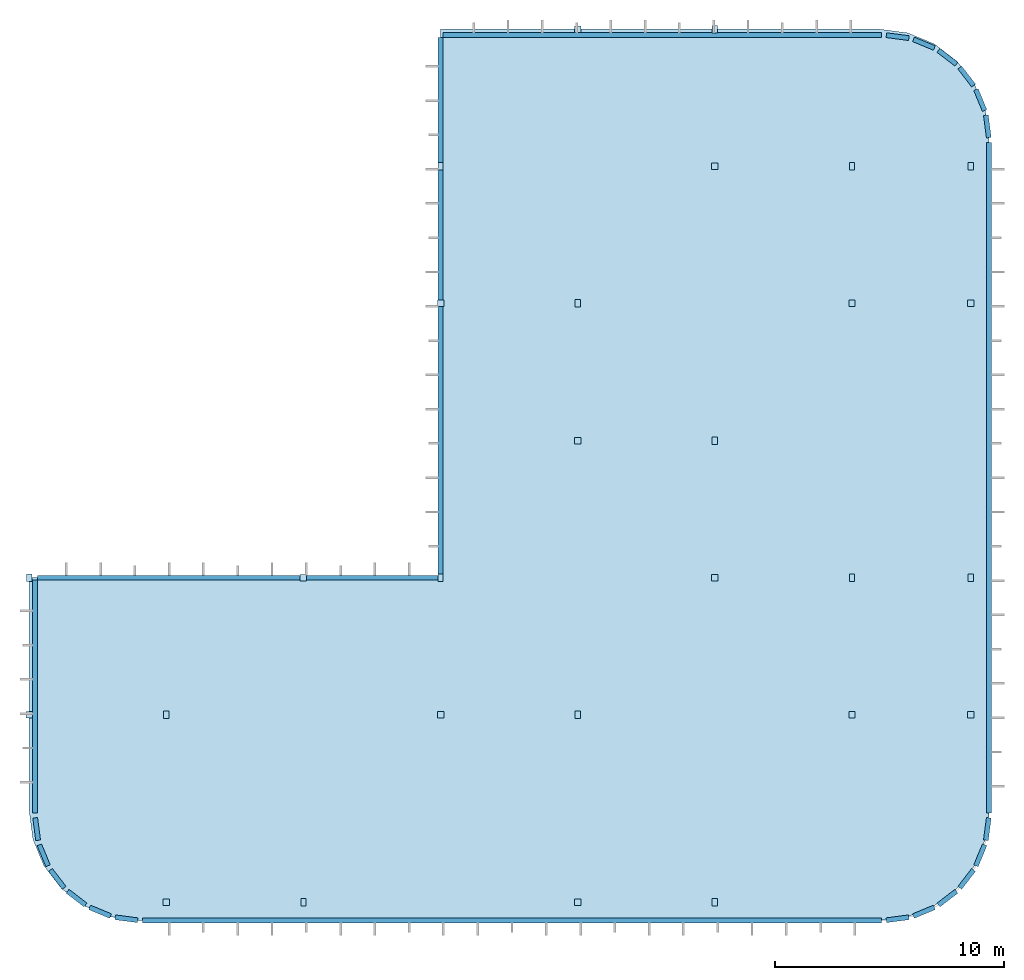
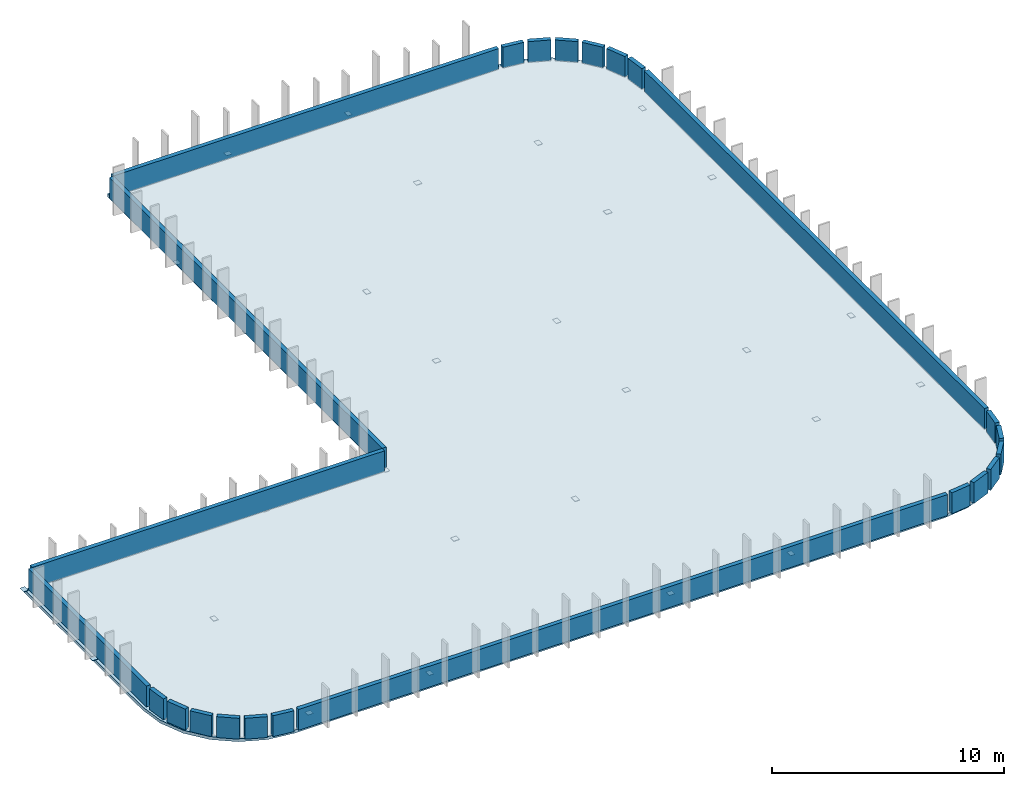
# One storey, part 1 of 3: 28 plates, 24 walls, 1 slab.
"""IFC4 building model written with IfcOpenShell, lengths in metres."""

from ifc_helpers import new_model, si_unit, direction, frame, frame_2d, origin, origin_2d, place, context, subcontext, project, spatial, polyline, rectangle, outline, extrude, material, layer, layer_set, type_object, element, save


model = new_model("IFC4")

# Units and contexts
model_context = context("Model", 3, precision=1e-05, world=origin(), true_north=direction((0.0, 1.0)))
body_context = subcontext(model_context, "Body", "Model", "MODEL_VIEW")
ifc_project = project(units=[si_unit("LENGTHUNIT", "METRE"), si_unit("AREAUNIT", "SQUARE_METRE"), si_unit("VOLUMEUNIT", "CUBIC_METRE"), si_unit("PLANEANGLEUNIT", "RADIAN"), si_unit("MASSUNIT", "GRAM", prefix="KILO")], contexts=[model_context])

# Site, building, storey
site_placement = place(None, origin())
site = spatial("IfcSite", under=ifc_project, at=site_placement, CompositionType="ELEMENT")
building_placement = place(site_placement, origin())
building = spatial("IfcBuilding", under=site, at=building_placement, Name="Varnakota Square Police Headquarters", CompositionType="ELEMENT")
storey_placement = place(building_placement, frame((0.0, 0.0, 34.199951171875)))
storey = spatial("IfcBuildingStorey", under=building, at=storey_placement, Name="RF", CompositionType="ELEMENT", Elevation=34.199951171875)

# Plates
ifc_material_1 = material(Name="Steel IS 2062 Grade 350", Category="steel")
ifc_layer_1 = layer(ifc_material_1, 0.01611328125, Name="Steel IS 2062 Grade 350")
ifc_layer_set_1 = layer_set([ifc_layer_1], Name="Steel IS 2062 Grade 350")
plate_type = type_object("IfcPlateType", Name="PL-CAP-16", PredefinedType="SHEET", material=ifc_layer_set_1)
plate_1_placement = place(storey_placement, frame((120.0, 9.0, -0.001953125), z_axis=(0.0, 0.0, 1.0), x_axis=(1.0, 0.0, 0.0)))
element("IfcPlate", 1, at=plate_1_placement, inside=storey, type_object=plate_type, Name="Hollow column top cap plate CP-COL-X1200-Y0090", PredefinedType="SHEET", context=body_context, shape_type="SweptSolid", body=[
    extrude(rectangle(XDim=0.280029296875, YDim=0.280029296875, at=origin_2d()), origin(), (0.0, 0.0, 1.0), 0.01611328125),
])
plate_2_placement = place(storey_placement, frame((120.0, 15.0, -0.001953125), z_axis=(0.0, 0.0, 1.0), x_axis=(1.0, 0.0, 0.0)))
element("IfcPlate", 2, at=plate_2_placement, inside=storey, type_object=plate_type, Name="Hollow column top cap plate CP-COL-X1200-Y0150", PredefinedType="SHEET", context=body_context, shape_type="SweptSolid", body=[
    extrude(rectangle(XDim=0.22998046875, YDim=0.330078125, at=origin_2d()), origin(), (0.0, 0.0, 1.0), 0.01611328125),
])
plate_3_placement = place(storey_placement, frame((126.0, 0.800048828125, -0.001953125), z_axis=(0.0, 0.0, 1.0), x_axis=(1.0, 0.0, 0.0)))
element("IfcPlate", 3, at=plate_3_placement, inside=storey, type_object=plate_type, Name="Hollow column top cap plate CP-COL-X1260-Y0008", PredefinedType="SHEET", context=body_context, shape_type="SweptSolid", body=[
    extrude(rectangle(XDim=0.280029296875, YDim=0.280029296875, at=origin_2d()), origin(), (0.0, 0.0, 1.0), 0.01611328125),
])
for number, where, z_axis, x_axis, name in (
    (4, (126.0, 9.0, -0.001953125), (0.0, 0.0, 1.0), (1.0, 0.0, 0.0), "Hollow column top cap plate CP-COL-X1260-Y0090"),
    (5, (132.0, 0.800048828125, -0.001953125), (0.0, 0.0, 1.0), (1.0, 0.0, 0.0), "Hollow column top cap plate CP-COL-X1320-Y0008"),
):
    element("IfcPlate", number, at=place(storey_placement, frame(where, z_axis=z_axis, x_axis=x_axis)), inside=storey, type_object=plate_type, Name=name, PredefinedType="SHEET", context=body_context, shape_type="SweptSolid", body=[
        extrude(rectangle(XDim=0.22998046875, YDim=0.330078125, at=origin_2d()), origin(), (0.0, 0.0, 1.0), 0.01611328125),
    ])
for number, where, z_axis, x_axis, name in (
    (6, (132.0, 15.0, -0.001953125), (0.0, 0.0, 1.0), (1.0, 0.0, 0.0), "Hollow column top cap plate CP-COL-X1320-Y0150"),
    (7, (138.0, 9.0, -0.001953125), (0.0, 0.0, 1.0), (1.0, 0.0, 0.0), "Hollow column top cap plate CP-COL-X1380-Y0090"),
):
    element("IfcPlate", number, at=place(storey_placement, frame(where, z_axis=z_axis, x_axis=x_axis)), inside=storey, type_object=plate_type, Name=name, PredefinedType="SHEET", context=body_context, shape_type="SweptSolid", body=[
        extrude(rectangle(XDim=0.280029296875, YDim=0.280029296875, at=origin_2d()), origin(), (0.0, 0.0, 1.0), 0.01611328125),
    ])
plate_4_placement = place(storey_placement, frame((138.0, 15.0, -0.001953125), z_axis=(0.0, 0.0, 1.0), x_axis=(1.0, 0.0, 0.0)))
element("IfcPlate", 8, at=plate_4_placement, inside=storey, type_object=plate_type, Name="Hollow column top cap plate CP-COL-X1380-Y0150", PredefinedType="SHEET", context=body_context, shape_type="SweptSolid", body=[
    extrude(rectangle(XDim=0.22998046875, YDim=0.330078125, at=origin_2d()), origin(), (0.0, 0.0, 1.0), 0.01611328125),
])
plate_5_placement = place(storey_placement, frame((138.0, 27.0, -0.001953125), z_axis=(0.0, 0.0, 1.0), x_axis=(1.0, 0.0, 0.0)))
element("IfcPlate", 9, at=plate_5_placement, inside=storey, type_object=plate_type, Name="Hollow column top cap plate CP-COL-X1380-Y0270", PredefinedType="SHEET", context=body_context, shape_type="SweptSolid", body=[
    extrude(rectangle(XDim=0.280029296875, YDim=0.280029296875, at=origin_2d()), origin(), (0.0, 0.0, 1.0), 0.01611328125),
])
plate_6_placement = place(storey_placement, frame((138.0, 33.0, -0.001953125), z_axis=(0.0, 0.0, 1.0), x_axis=(1.0, 0.0, 0.0)))
element("IfcPlate", 10, at=plate_6_placement, inside=storey, type_object=plate_type, Name="Hollow column top cap plate CP-COL-X1380-Y0330", PredefinedType="SHEET", context=body_context, shape_type="SweptSolid", body=[
    extrude(rectangle(XDim=0.22998046875, YDim=0.330078125, at=origin_2d()), origin(), (0.0, 0.0, 1.0), 0.01611328125),
])
plate_7_placement = place(storey_placement, frame((144.0, 0.800048828125, -0.001953125), z_axis=(0.0, 0.0, 1.0), x_axis=(1.0, 0.0, 0.0)))
element("IfcPlate", 11, at=plate_7_placement, inside=storey, type_object=plate_type, Name="Hollow column top cap plate CP-COL-X1440-Y0008", PredefinedType="SHEET", context=body_context, shape_type="SweptSolid", body=[
    extrude(rectangle(XDim=0.280029296875, YDim=0.280029296875, at=origin_2d()), origin(), (0.0, 0.0, 1.0), 0.01611328125),
])
plate_8_placement = place(storey_placement, frame((144.0, 9.0, -0.001953125), z_axis=(0.0, 0.0, 1.0), x_axis=(1.0, 0.0, 0.0)))
element("IfcPlate", 12, at=plate_8_placement, inside=storey, type_object=plate_type, Name="Hollow column top cap plate CP-COL-X1440-Y0090", PredefinedType="SHEET", context=body_context, shape_type="SweptSolid", body=[
    extrude(rectangle(XDim=0.22998046875, YDim=0.330078125, at=origin_2d()), origin(), (0.0, 0.0, 1.0), 0.01611328125),
])
plate_9_placement = place(storey_placement, frame((144.0, 21.0, -0.001953125), z_axis=(0.0, 0.0, 1.0), x_axis=(1.0, 0.0, 0.0)))
element("IfcPlate", 13, at=plate_9_placement, inside=storey, type_object=plate_type, Name="Hollow column top cap plate CP-COL-X1440-Y0210", PredefinedType="SHEET", context=body_context, shape_type="SweptSolid", body=[
    extrude(rectangle(XDim=0.280029296875, YDim=0.280029296875, at=origin_2d()), origin(), (0.0, 0.0, 1.0), 0.01611328125),
])
plate_10_placement = place(storey_placement, frame((144.0, 27.0, -0.001953125), z_axis=(0.0, 0.0, 1.0), x_axis=(1.0, 0.0, 0.0)))
element("IfcPlate", 14, at=plate_10_placement, inside=storey, type_object=plate_type, Name="Hollow column top cap plate CP-COL-X1440-Y0270", PredefinedType="SHEET", context=body_context, shape_type="SweptSolid", body=[
    extrude(rectangle(XDim=0.22998046875, YDim=0.330078125, at=origin_2d()), origin(), (0.0, 0.0, 1.0), 0.01611328125),
])
plate_11_placement = place(storey_placement, frame((144.0, 39.0, -0.001953125), z_axis=(0.0, 0.0, 1.0), x_axis=(1.0, 0.0, 0.0)))
element("IfcPlate", 15, at=plate_11_placement, inside=storey, type_object=plate_type, Name="Hollow column top cap plate CP-COL-X1440-Y0390", PredefinedType="SHEET", context=body_context, shape_type="SweptSolid", body=[
    extrude(rectangle(XDim=0.280029296875, YDim=0.280029296875, at=origin_2d()), origin(), (0.0, 0.0, 1.0), 0.01611328125),
])
plate_12_placement = place(storey_placement, frame((150.0, 0.800048828125, -0.001953125), z_axis=(0.0, 0.0, 1.0), x_axis=(1.0, 0.0, 0.0)))
element("IfcPlate", 16, at=plate_12_placement, inside=storey, type_object=plate_type, Name="Hollow column top cap plate CP-COL-X1500-Y0008", PredefinedType="SHEET", context=body_context, shape_type="SweptSolid", body=[
    extrude(rectangle(XDim=0.22998046875, YDim=0.330078125, at=origin_2d()), origin(), (0.0, 0.0, 1.0), 0.01611328125),
])
plate_13_placement = place(storey_placement, frame((150.0, 15.0, -0.001953125), z_axis=(0.0, 0.0, 1.0), x_axis=(1.0, 0.0, 0.0)))
element("IfcPlate", 17, at=plate_13_placement, inside=storey, type_object=plate_type, Name="Hollow column top cap plate CP-COL-X1500-Y0150", PredefinedType="SHEET", context=body_context, shape_type="SweptSolid", body=[
    extrude(rectangle(XDim=0.280029296875, YDim=0.280029296875, at=origin_2d()), origin(), (0.0, 0.0, 1.0), 0.01611328125),
])
plate_14_placement = place(storey_placement, frame((150.0, 21.0, -0.001953125), z_axis=(0.0, 0.0, 1.0), x_axis=(1.0, 0.0, 0.0)))
element("IfcPlate", 18, at=plate_14_placement, inside=storey, type_object=plate_type, Name="Hollow column top cap plate CP-COL-X1500-Y0210", PredefinedType="SHEET", context=body_context, shape_type="SweptSolid", body=[
    extrude(rectangle(XDim=0.22998046875, YDim=0.330078125, at=origin_2d()), origin(), (0.0, 0.0, 1.0), 0.01611328125),
])
plate_15_placement = place(storey_placement, frame((150.0, 33.0, -0.001953125), z_axis=(0.0, 0.0, 1.0), x_axis=(1.0, 0.0, 0.0)))
element("IfcPlate", 19, at=plate_15_placement, inside=storey, type_object=plate_type, Name="Hollow column top cap plate CP-COL-X1500-Y0330", PredefinedType="SHEET", context=body_context, shape_type="SweptSolid", body=[
    extrude(rectangle(XDim=0.280029296875, YDim=0.280029296875, at=origin_2d()), origin(), (0.0, 0.0, 1.0), 0.01611328125),
])
plate_16_placement = place(storey_placement, frame((150.0, 39.0, -0.001953125), z_axis=(0.0, 0.0, 1.0), x_axis=(1.0, 0.0, 0.0)))
element("IfcPlate", 20, at=plate_16_placement, inside=storey, type_object=plate_type, Name="Hollow column top cap plate CP-COL-X1500-Y0390", PredefinedType="SHEET", context=body_context, shape_type="SweptSolid", body=[
    extrude(rectangle(XDim=0.22998046875, YDim=0.330078125, at=origin_2d()), origin(), (0.0, 0.0, 1.0), 0.01611328125),
])
plate_17_placement = place(storey_placement, frame((156.0, 9.0, -0.001953125), z_axis=(0.0, 0.0, 1.0), x_axis=(1.0, 0.0, 0.0)))
element("IfcPlate", 21, at=plate_17_placement, inside=storey, type_object=plate_type, Name="Hollow column top cap plate CP-COL-X1560-Y0090", PredefinedType="SHEET", context=body_context, shape_type="SweptSolid", body=[
    extrude(rectangle(XDim=0.280029296875, YDim=0.280029296875, at=origin_2d()), origin(), (0.0, 0.0, 1.0), 0.01611328125),
])
plate_18_placement = place(storey_placement, frame((156.0, 15.0, -0.001953125), z_axis=(0.0, 0.0, 1.0), x_axis=(1.0, 0.0, 0.0)))
element("IfcPlate", 22, at=plate_18_placement, inside=storey, type_object=plate_type, Name="Hollow column top cap plate CP-COL-X1560-Y0150", PredefinedType="SHEET", context=body_context, shape_type="SweptSolid", body=[
    extrude(rectangle(XDim=0.22998046875, YDim=0.330078125, at=origin_2d()), origin(), (0.0, 0.0, 1.0), 0.01611328125),
])
plate_19_placement = place(storey_placement, frame((156.0, 27.0, -0.001953125), z_axis=(0.0, 0.0, 1.0), x_axis=(1.0, 0.0, 0.0)))
element("IfcPlate", 23, at=plate_19_placement, inside=storey, type_object=plate_type, Name="Hollow column top cap plate CP-COL-X1560-Y0270", PredefinedType="SHEET", context=body_context, shape_type="SweptSolid", body=[
    extrude(rectangle(XDim=0.280029296875, YDim=0.280029296875, at=origin_2d()), origin(), (0.0, 0.0, 1.0), 0.01611328125),
])
plate_20_placement = place(storey_placement, frame((156.0, 33.0, -0.001953125), z_axis=(0.0, 0.0, 1.0), x_axis=(1.0, 0.0, 0.0)))
element("IfcPlate", 24, at=plate_20_placement, inside=storey, type_object=plate_type, Name="Hollow column top cap plate CP-COL-X1560-Y0330", PredefinedType="SHEET", context=body_context, shape_type="SweptSolid", body=[
    extrude(rectangle(XDim=0.22998046875, YDim=0.330078125, at=origin_2d()), origin(), (0.0, 0.0, 1.0), 0.01611328125),
])
plate_21_placement = place(storey_placement, frame((161.199951171875, 9.0, -0.001953125), z_axis=(0.0, 0.0, 1.0), x_axis=(1.0, 0.0, 0.0)))
element("IfcPlate", 25, at=plate_21_placement, inside=storey, type_object=plate_type, Name="Hollow column top cap plate CP-COL-X1612-Y0090", PredefinedType="SHEET", context=body_context, shape_type="SweptSolid", body=[
    extrude(rectangle(XDim=0.280029296875, YDim=0.280029296875, at=origin_2d()), origin(), (0.0, 0.0, 1.0), 0.01611328125),
])
plate_22_placement = place(storey_placement, frame((161.199951171875, 15.0, -0.001953125), z_axis=(0.0, 0.0, 1.0), x_axis=(1.0, 0.0, 0.0)))
element("IfcPlate", 26, at=plate_22_placement, inside=storey, type_object=plate_type, Name="Hollow column top cap plate CP-COL-X1612-Y0150", PredefinedType="SHEET", context=body_context, shape_type="SweptSolid", body=[
    extrude(rectangle(XDim=0.22998046875, YDim=0.330078125, at=origin_2d()), origin(), (0.0, 0.0, 1.0), 0.01611328125),
])
plate_23_placement = place(storey_placement, frame((161.199951171875, 27.0, -0.001953125), z_axis=(0.0, 0.0, 1.0), x_axis=(1.0, 0.0, 0.0)))
element("IfcPlate", 27, at=plate_23_placement, inside=storey, type_object=plate_type, Name="Hollow column top cap plate CP-COL-X1612-Y0270", PredefinedType="SHEET", context=body_context, shape_type="SweptSolid", body=[
    extrude(rectangle(XDim=0.280029296875, YDim=0.280029296875, at=origin_2d()), origin(), (0.0, 0.0, 1.0), 0.01611328125),
])
plate_24_placement = place(storey_placement, frame((161.199951171875, 33.0, -0.001953125), z_axis=(0.0, 0.0, 1.0), x_axis=(1.0, 0.0, 0.0)))
element("IfcPlate", 28, at=plate_24_placement, inside=storey, type_object=plate_type, Name="Hollow column top cap plate CP-COL-X1612-Y0330", PredefinedType="SHEET", context=body_context, shape_type="SweptSolid", body=[
    extrude(rectangle(XDim=0.22998046875, YDim=0.330078125, at=origin_2d()), origin(), (0.0, 0.0, 1.0), 0.01611328125),
])

# Slab
ifc_material_2 = material(Name="Concrete M40", Category="concrete")
ifc_layer_2 = layer(ifc_material_2, 0.159912109375, Name="Concrete M40")
ifc_layer_set_2 = layer_set([ifc_layer_2], Name="Concrete M40")
slab_type = type_object("IfcSlabType", Name="SL-RF-160", PredefinedType="ROOF", material=ifc_layer_set_2)
slab_placement = place(storey_placement, frame((0.0, 0.0, -0.159912109375)))
element("IfcSlab", 29, at=slab_placement, inside=storey, type_object=slab_type, Name="RF Main Operations Block Roof Slab", PredefinedType="ROOF", context=body_context, shape_type="SweptSolid", body=[
    extrude(outline(polyline([(120.0, 4.800048828125), (120.16357421875, 3.5576171875), (120.64306640625, 2.39990234375), (121.406005859375, 1.406005859375), (122.39990234375, 0.64306640625), (123.5576171875, 0.16357421875), (124.800048828125, 0.0), (157.199951171875, 0.0), (158.4423828125, 0.16357421875), (159.60009765625, 0.64306640625), (160.593994140625, 1.406005859375), (161.35693359375, 2.39990234375), (161.83642578125, 3.5576171875), (162.0, 4.800048828125), (162.0, 34.199951171875), (161.83642578125, 35.4423828125), (161.35693359375, 36.60009765625), (160.593994140625, 37.593994140625), (159.60009765625, 38.35693359375), (158.4423828125, 38.83642578125), (157.199951171875, 39.0), (138.0, 39.0), (138.0, 15.0), (120.0, 15.0), (120.0, 4.800048828125)])), origin(), (0.0, 0.0, 1.0), 0.159912109375),
])

# Walls
ifc_material_3 = material(Name="Precast concrete M40", Category="concrete")
ifc_layer_3 = layer(ifc_material_3, 0.2099609375, Name="Precast concrete M40")
ifc_layer_set_3 = layer_set([ifc_layer_3], Name="Precast concrete M40")
wall_type = type_object("IfcWallType", Name="WL-PAR-210", PredefinedType="PARAPET", material=ifc_layer_set_3)
for number, where, z_axis, x_axis, name in (
    (30, (120.263671875, 4.495849609375, 0.0), (0.0, 0.0, 1.0), (0.130581978907, -0.99143751532, 0.0), "Roof parapet wall PAR-RF-026"),
    (31, (120.447021484375, 3.3125, 0.0), (0.0, 0.0, 1.0), (0.382620162616, -0.923905737161, 0.0), "Roof parapet wall PAR-RF-027"),
    (32, (120.93017578125, 2.216796875, 0.0), (0.0, 0.0, 1.0), (0.608793543515, -0.793328696931, 0.0), "Roof parapet wall PAR-RF-028"),
    (33, (121.6806640625, 1.283447265625, 0.0), (0.0, 0.0, 1.0), (0.793328696931, -0.608793543515, 0.0), "Roof parapet wall PAR-RF-029"),
    (34, (122.64697265625, 0.576171875, 0.0), (0.0, 0.0, 1.0), (0.923905737161, -0.382620162616, 0.0), "Roof parapet wall PAR-RF-030"),
    (35, (123.763427734375, 0.14306640625, 0.0), (0.0, 0.0, 1.0), (0.99143751532, -0.130581978907, 0.0), "Roof parapet wall PAR-RF-031"),
):
    element("IfcWall", number, at=place(storey_placement, frame(where, z_axis=z_axis, x_axis=x_axis)), inside=storey, type_object=wall_type, Name=name, PredefinedType="PARAPET", context=body_context, shape_type="SweptSolid", body=[
        extrude(rectangle(XDim=0.990966796875, YDim=0.2099609375, at=frame_2d((0.49560546875, 0.0))), origin(), (0.0, 0.0, 1.0), 1.10009765625),
    ])
wall_1_placement = place(storey_placement, frame((124.955078125, 0.0, 0.0), z_axis=(0.0, 0.0, 1.0), x_axis=(1.0, 0.0, 0.0)))
element("IfcWall", 36, at=wall_1_placement, inside=storey, type_object=wall_type, Name="Roof parapet wall PAR-RF-032", PredefinedType="PARAPET", context=body_context, shape_type="SweptSolid", body=[
    extrude(rectangle(XDim=32.33984375, YDim=0.2099609375, at=frame_2d((16.169921875, 0.0))), origin(), (0.0, 0.0, 1.0), 1.10009765625),
])
for number, where, z_axis, x_axis, name in (
    (37, (157.504150390625, 0.013671875, 0.0), (0.0, 0.0, 1.0), (0.99143751532, 0.130581978907, 0.0), "Roof parapet wall PAR-RF-033"),
    (38, (158.6875, 0.197021484375, 0.0), (0.0, 0.0, 1.0), (0.923905737161, 0.382620162616, 0.0), "Roof parapet wall PAR-RF-034"),
    (39, (159.783203125, 0.68017578125, 0.0), (0.0, 0.0, 1.0), (0.793328696931, 0.608793543515, 0.0), "Roof parapet wall PAR-RF-035"),
    (40, (160.716552734375, 1.4306640625, 0.0), (0.0, 0.0, 1.0), (0.608793543515, 0.793328696931, 0.0), "Roof parapet wall PAR-RF-036"),
    (41, (161.423828125, 2.39697265625, 0.0), (0.0, 0.0, 1.0), (0.382620162616, 0.923905737161, 0.0), "Roof parapet wall PAR-RF-037"),
    (42, (161.85693359375, 3.513427734375, 0.0), (0.0, 0.0, 1.0), (0.130581978907, 0.99143751532, 0.0), "Roof parapet wall PAR-RF-038"),
):
    element("IfcWall", number, at=place(storey_placement, frame(where, z_axis=z_axis, x_axis=x_axis)), inside=storey, type_object=wall_type, Name=name, PredefinedType="PARAPET", context=body_context, shape_type="SweptSolid", body=[
        extrude(rectangle(XDim=0.990966796875, YDim=0.2099609375, at=frame_2d((0.49560546875, 0.0))), origin(), (0.0, 0.0, 1.0), 1.10009765625),
    ])
wall_2_placement = place(storey_placement, frame((162.0, 4.705078125, 0.0), z_axis=(0.0, 0.0, 1.0), x_axis=(0.0, 1.0, 0.0)))
element("IfcWall", 43, at=wall_2_placement, inside=storey, type_object=wall_type, Name="Roof parapet wall PAR-RF-039", PredefinedType="PARAPET", context=body_context, shape_type="SweptSolid", body=[
    extrude(rectangle(XDim=29.33984375, YDim=0.2099609375, at=frame_2d((14.669921875, 0.0))), origin(), (0.0, 0.0, 1.0), 1.10009765625),
])
for number, where, z_axis, x_axis, name in (
    (44, (161.986328125, 34.254150390625, 0.0), (0.0, 0.0, 1.0), (-0.130581978907, 0.99143751532, 0.0), "Roof parapet wall PAR-RF-040"),
    (45, (161.802978515625, 35.4375, 0.0), (0.0, 0.0, 1.0), (-0.382620162616, 0.923905737161, 0.0), "Roof parapet wall PAR-RF-041"),
    (46, (161.31982421875, 36.533203125, 0.0), (0.0, 0.0, 1.0), (-0.608793543515, 0.793328696931, 0.0), "Roof parapet wall PAR-RF-042"),
    (47, (160.5693359375, 37.466552734375, 0.0), (0.0, 0.0, 1.0), (-0.793328696931, 0.608793543515, 0.0), "Roof parapet wall PAR-RF-043"),
    (48, (159.60302734375, 38.173828125, 0.0), (0.0, 0.0, 1.0), (-0.923905737161, 0.382620162616, 0.0), "Roof parapet wall PAR-RF-044"),
    (49, (158.486572265625, 38.60693359375, 0.0), (0.0, 0.0, 1.0), (-0.99143751532, 0.130581978907, 0.0), "Roof parapet wall PAR-RF-045"),
):
    element("IfcWall", number, at=place(storey_placement, frame(where, z_axis=z_axis, x_axis=x_axis)), inside=storey, type_object=wall_type, Name=name, PredefinedType="PARAPET", context=body_context, shape_type="SweptSolid", body=[
        extrude(rectangle(XDim=0.990966796875, YDim=0.2099609375, at=frame_2d((0.49560546875, 0.0))), origin(), (0.0, 0.0, 1.0), 1.10009765625),
    ])
wall_3_placement = place(storey_placement, frame((157.294921875, 38.75, 0.0), z_axis=(0.0, 0.0, 1.0), x_axis=(-1.0, 0.0, 0.0)))
element("IfcWall", 50, at=wall_3_placement, inside=storey, type_object=wall_type, Name="Roof parapet wall PAR-RF-046", PredefinedType="PARAPET", context=body_context, shape_type="SweptSolid", body=[
    extrude(rectangle(XDim=19.18994140625, YDim=0.2099609375, at=frame_2d((9.594970703125, 0.0))), origin(), (0.0, 0.0, 1.0), 1.10009765625),
])
wall_4_placement = place(storey_placement, frame((138.0, 38.64501953125, 0.0), z_axis=(0.0, 0.0, 1.0), x_axis=(0.0, -1.0, 0.0)))
element("IfcWall", 51, at=wall_4_placement, inside=storey, type_object=wall_type, Name="Roof parapet wall PAR-RF-047", PredefinedType="PARAPET", context=body_context, shape_type="SweptSolid", body=[
    extrude(rectangle(XDim=23.5400390625, YDim=0.2099609375, at=frame_2d((11.77001953125, 0.0))), origin(), (0.0, 0.0, 1.0), 1.10009765625),
])
wall_5_placement = place(storey_placement, frame((137.89501953125, 15.0, 0.0), z_axis=(0.0, 0.0, 1.0), x_axis=(-1.0, 0.0, 0.0)))
element("IfcWall", 52, at=wall_5_placement, inside=storey, type_object=wall_type, Name="Roof parapet wall PAR-RF-048", PredefinedType="PARAPET", context=body_context, shape_type="SweptSolid", body=[
    extrude(rectangle(XDim=17.5400390625, YDim=0.2099609375, at=frame_2d((8.77001953125, 0.0))), origin(), (0.0, 0.0, 1.0), 1.10009765625),
])
wall_6_placement = place(storey_placement, frame((120.25, 14.89501953125, 0.0), z_axis=(0.0, 0.0, 1.0), x_axis=(0.0, -1.0, 0.0)))
element("IfcWall", 53, at=wall_6_placement, inside=storey, type_object=wall_type, Name="Roof parapet wall PAR-RF-049", PredefinedType="PARAPET", context=body_context, shape_type="SweptSolid", body=[
    extrude(rectangle(XDim=10.18994140625, YDim=0.2099609375, at=frame_2d((5.094970703125, 0.0))), origin(), (0.0, 0.0, 1.0), 1.10009765625),
])

save(model, "model.ifc")
